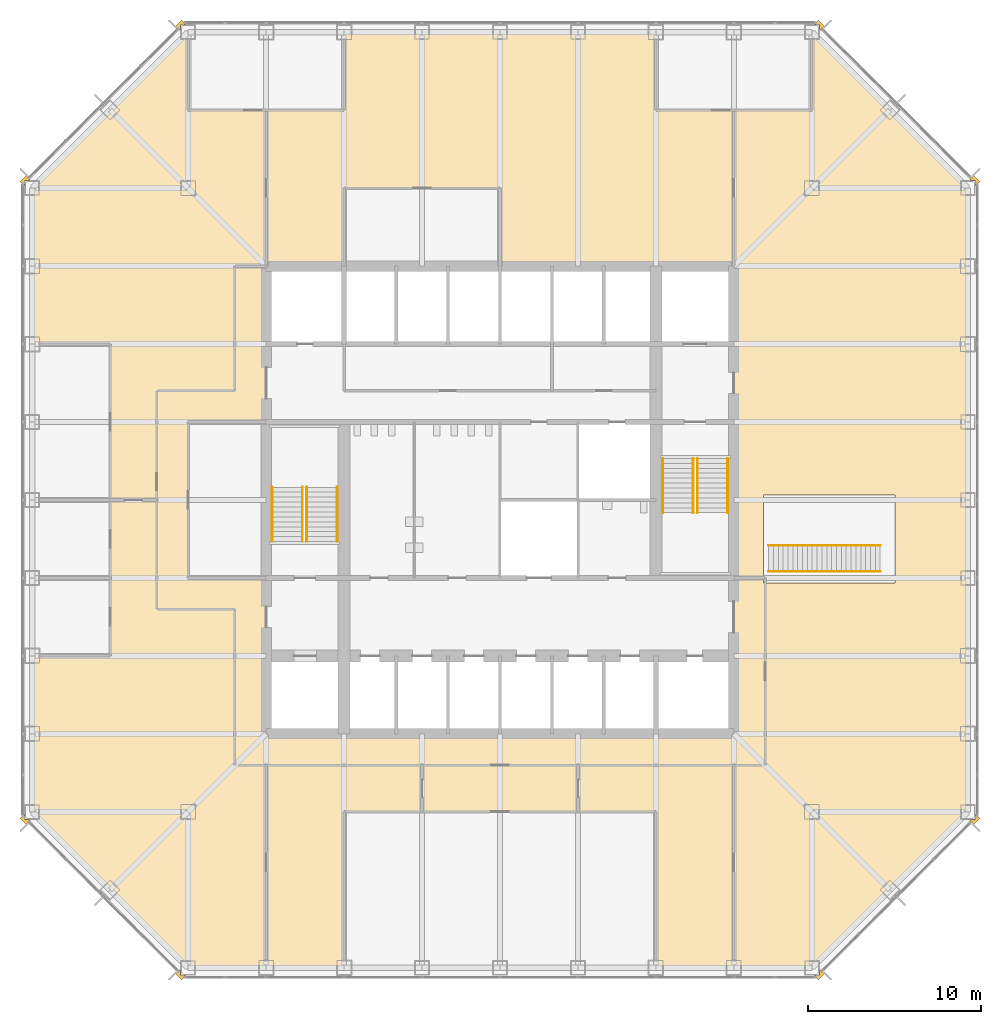
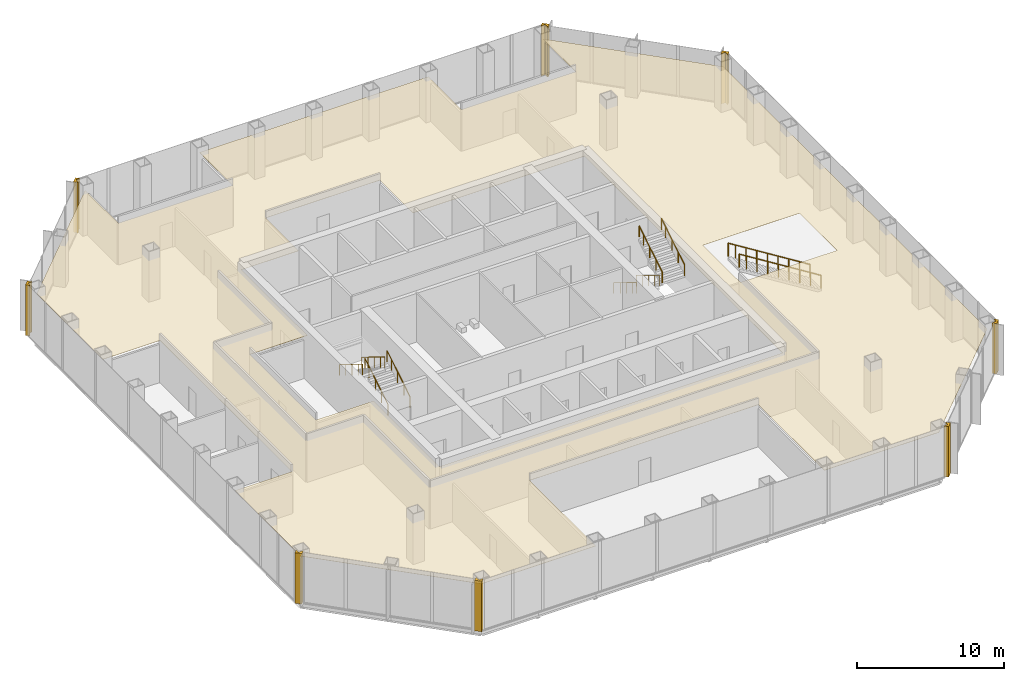
# One storey, part 11 of 12: 10 railings, 9 coverings.
"""IFC4 building model written with IfcOpenShell, lengths in metres."""

from ifc_helpers import new_model, si_unit, direction, frame, origin, origin_2d, place, context, subcontext, project, spatial, polyline, circle, outline, extrude, material, layer, layer_set, type_object, element, save


model = new_model("IFC4")

# Units and contexts
model_context = context("Model", 3, precision=1e-05, world=origin(), true_north=direction((0.0, 1.0)))
body_context = subcontext(model_context, "Body", "Model", "MODEL_VIEW")
ifc_project = project(units=[si_unit("LENGTHUNIT", "METRE"), si_unit("AREAUNIT", "SQUARE_METRE"), si_unit("VOLUMEUNIT", "CUBIC_METRE"), si_unit("PLANEANGLEUNIT", "RADIAN"), si_unit("MASSUNIT", "GRAM", prefix="KILO")], contexts=[model_context])

# Site, building, storey
site_placement = place(None, origin())
site = spatial("IfcSite", under=ifc_project, at=site_placement, CompositionType="ELEMENT")
building_placement = place(site_placement, origin())
building = spatial("IfcBuilding", under=site, at=building_placement, Name="Corais Broadcast Tower", CompositionType="ELEMENT")
storey_placement = place(building_placement, frame((0.0, 0.0, 29.0)))
storey = spatial("IfcBuildingStorey", under=building, at=storey_placement, Name="L05", CompositionType="ELEMENT", Elevation=29.0)

# Railings
ifc_material_1 = material(Name="Laminated glass and stainless steel guard", Category="steel")
railing_type_1 = type_object("IfcRailingType", Name="Glass guard 1100", PredefinedType="GUARDRAIL", material=ifc_material_1)
for number, where, name in (
    (1, (48.93994140625, 24.375, 0.175048828125), "GR1 L05"),
    (2, (48.93994140625, 22.875, 0.175048828125), "GR1 L05"),
):
    element("IfcRailing", number, at=place(storey_placement, frame(where)), inside=storey, type_object=railing_type_1, Name=name, PredefinedType="GUARDRAIL", context=body_context, shape_type="SweptSolid", body=[
        extrude(circle(Radius=0.02392578125, at=origin_2d()), frame((0.0, 0.0, 1.076171875), z_axis=(-0.848001916129, 0.0, 0.529993160562), x_axis=(0.0, -1.0, 0.0)), (0.0, 0.0, 1.0), 7.59423828125),
        extrude(circle(Radius=0.02099609375, at=origin_2d()), origin(), (0.0, 0.0, 1.0), 1.052001953125),
        extrude(circle(Radius=0.02099609375, at=origin_2d()), frame((-0.840087890625, 0.0, 0.52490234375)), (0.0, 0.0, 1.0), 1.052001953125),
        extrude(circle(Radius=0.02099609375, at=origin_2d()), frame((-1.679931640625, 0.0, 1.050048828125)), (0.0, 0.0, 1.0), 1.052001953125),
        extrude(circle(Radius=0.02099609375, at=origin_2d()), frame((-2.52001953125, 0.0, 1.574951171875)), (0.0, 0.0, 1.0), 1.052001953125),
        extrude(circle(Radius=0.02099609375, at=origin_2d()), frame((-3.35986328125, 0.0, 2.099853515625)), (0.0, 0.0, 1.0), 1.052001953125),
        extrude(circle(Radius=0.02099609375, at=origin_2d()), frame((-4.199951171875, 0.0, 2.625)), (0.0, 0.0, 1.0), 1.052001953125),
        extrude(circle(Radius=0.02099609375, at=origin_2d()), frame((-5.0400390625, 0.0, 3.14990234375)), (0.0, 0.0, 1.0), 1.052001953125),
        extrude(circle(Radius=0.02099609375, at=origin_2d()), frame((-5.8798828125, 0.0, 3.6748046875)), (0.0, 0.0, 1.0), 1.052001953125),
        extrude(circle(Radius=0.02099609375, at=origin_2d()), frame((-6.43994140625, 0.0, 4.02490234375)), (0.0, 0.0, 1.0), 1.052001953125),
    ])
ifc_material_2 = material(Name="Stainless steel handrail", Category="steel")
railing_type_2 = type_object("IfcRailingType", Name="Handrail 920", PredefinedType="HANDRAIL", material=ifc_material_2)
for number, where, name in (
    (3, (17.60009765625, 24.60009765625, 0.175048828125), "HR1 L05"),
    (4, (15.85009765625, 24.60009765625, 0.175048828125), "HR1 L05"),
):
    element("IfcRailing", number, at=place(storey_placement, frame(where)), inside=storey, type_object=railing_type_2, Name=name, PredefinedType="HANDRAIL", context=body_context, shape_type="SweptSolid", body=[
        extrude(circle(Radius=0.02392578125, at=origin_2d()), frame((0.0, 0.0, 0.89599609375), z_axis=(0.0, 0.852166034122, 0.523271488128), x_axis=(-1.0, 0.0, 0.0)), (0.0, 0.0, 1.0), 3.678955078125),
        extrude(circle(Radius=0.02099609375, at=origin_2d()), origin(), (0.0, 0.0, 1.0), 0.871826171875),
        extrude(circle(Radius=0.02099609375, at=origin_2d()), frame((0.0, 0.85498046875, 0.52490234375)), (0.0, 0.0, 1.0), 0.871826171875),
        extrude(circle(Radius=0.02099609375, at=origin_2d()), frame((0.0, 1.7099609375, 1.050048828125)), (0.0, 0.0, 1.0), 0.871826171875),
        extrude(circle(Radius=0.02099609375, at=origin_2d()), frame((0.0, 2.56494140625, 1.574951171875)), (0.0, 0.0, 1.0), 0.871826171875),
        extrude(circle(Radius=0.02099609375, at=origin_2d()), frame((0.0, 3.135009765625, 1.925048828125)), (0.0, 0.0, 1.0), 0.871826171875),
    ])
for number, where, name in (
    (5, (13.85009765625, 27.735107421875, 2.27490234375), "HR1 L05"),
    (6, (15.60009765625, 27.735107421875, 2.27490234375), "HR1 L05"),
    (7, (36.39990234375, 29.39990234375, 0.175048828125), "HR1 L05"),
    (8, (38.14990234375, 29.39990234375, 0.175048828125), "HR1 L05"),
):
    element("IfcRailing", number, at=place(storey_placement, frame(where)), inside=storey, type_object=railing_type_2, Name=name, PredefinedType="HANDRAIL", context=body_context, shape_type="SweptSolid", body=[
        extrude(circle(Radius=0.02392578125, at=origin_2d()), frame((0.0, 0.0, 0.89599609375), z_axis=(0.0, -0.852166034122, 0.523271488128), x_axis=(1.0, 0.0, 0.0)), (0.0, 0.0, 1.0), 3.678955078125),
        extrude(circle(Radius=0.02099609375, at=origin_2d()), origin(), (0.0, 0.0, 1.0), 0.871826171875),
        extrude(circle(Radius=0.02099609375, at=origin_2d()), frame((0.0, -0.85498046875, 0.52490234375)), (0.0, 0.0, 1.0), 0.871826171875),
        extrude(circle(Radius=0.02099609375, at=origin_2d()), frame((0.0, -1.7099609375, 1.050048828125)), (0.0, 0.0, 1.0), 0.871826171875),
        extrude(circle(Radius=0.02099609375, at=origin_2d()), frame((0.0, -2.56494140625, 1.574951171875)), (0.0, 0.0, 1.0), 0.871826171875),
        extrude(circle(Radius=0.02099609375, at=origin_2d()), frame((0.0, -3.135009765625, 1.925048828125)), (0.0, 0.0, 1.0), 0.871826171875),
    ])
for number, where, name in (
    (9, (40.14990234375, 26.264892578125, 2.27490234375), "HR1 L05"),
    (10, (38.39990234375, 26.264892578125, 2.27490234375), "HR1 L05"),
):
    element("IfcRailing", number, at=place(storey_placement, frame(where)), inside=storey, type_object=railing_type_2, Name=name, PredefinedType="HANDRAIL", context=body_context, shape_type="SweptSolid", body=[
        extrude(circle(Radius=0.02392578125, at=origin_2d()), frame((0.0, 0.0, 0.89599609375), z_axis=(0.0, 0.852166034122, 0.523271488128), x_axis=(-1.0, 0.0, 0.0)), (0.0, 0.0, 1.0), 3.678955078125),
        extrude(circle(Radius=0.02099609375, at=origin_2d()), origin(), (0.0, 0.0, 1.0), 0.871826171875),
        extrude(circle(Radius=0.02099609375, at=origin_2d()), frame((0.0, 0.85498046875, 0.52490234375)), (0.0, 0.0, 1.0), 0.871826171875),
        extrude(circle(Radius=0.02099609375, at=origin_2d()), frame((0.0, 1.7099609375, 1.050048828125)), (0.0, 0.0, 1.0), 0.871826171875),
        extrude(circle(Radius=0.02099609375, at=origin_2d()), frame((0.0, 2.56494140625, 1.574951171875)), (0.0, 0.0, 1.0), 0.871826171875),
        extrude(circle(Radius=0.02099609375, at=origin_2d()), frame((0.0, 3.135009765625, 1.925048828125)), (0.0, 0.0, 1.0), 0.871826171875),
    ])

# Coverings
ifc_material_3 = material(Name="Granite stone cladding", Category="masonry")
ifc_layer_1 = layer(ifc_material_3, 0.324951171875)
ifc_layer_set_1 = layer_set([ifc_layer_1], Name="Granite stone cladding")
covering_type_1 = type_object("IfcCoveringType", Name="Stone corner pier cladding 500x325", PredefinedType="CLADDING", material=ifc_layer_set_1)
covering_1_placement = place(storey_placement, origin())
element("IfcCovering", 11, at=covering_1_placement, inside=storey, type_object=covering_type_1, Name="SP1 stone corner pier L05", PredefinedType="CLADDING", context=body_context, shape_type="SweptSolid", body=[
    extrude(outline(polyline([(8.860595703125, -0.461669921875), (8.84912109375, -0.449951171875), (8.550048828125, -0.449951171875), (8.550048828125, -0.15087890625), (8.507080078125, -0.108154296875), (8.277099609375, -0.337890625), (8.630859375, -0.69140625), (8.860595703125, -0.461669921875)])), origin(), (0.0, 0.0, 1.0), 4.199951171875),
])
covering_2_placement = place(storey_placement, origin())
element("IfcCovering", 12, at=covering_2_placement, inside=storey, type_object=covering_type_1, Name="SP1 stone corner pier L05", PredefinedType="CLADDING", context=body_context, shape_type="SweptSolid", body=[
    extrude(outline(polyline([(-0.449951171875, 8.84912109375), (-0.461669921875, 8.860595703125), (-0.69140625, 8.630859375), (-0.337890625, 8.277099609375), (-0.108154296875, 8.507080078125), (-0.15087890625, 8.550048828125), (-0.449951171875, 8.550048828125), (-0.449951171875, 8.84912109375)])), origin(), (0.0, 0.0, 1.0), 4.199951171875),
])
covering_3_placement = place(storey_placement, origin())
element("IfcCovering", 13, at=covering_3_placement, inside=storey, type_object=covering_type_1, Name="SP1 stone corner pier L05", PredefinedType="CLADDING", context=body_context, shape_type="SweptSolid", body=[
    extrude(outline(polyline([(-0.461669921875, 45.139404296875), (-0.449951171875, 45.15087890625), (-0.449951171875, 45.449951171875), (-0.15087890625, 45.449951171875), (-0.108154296875, 45.492919921875), (-0.337890625, 45.722900390625), (-0.69140625, 45.369140625), (-0.461669921875, 45.139404296875)])), origin(), (0.0, 0.0, 1.0), 4.199951171875),
])
covering_4_placement = place(storey_placement, origin())
element("IfcCovering", 14, at=covering_4_placement, inside=storey, type_object=covering_type_1, Name="SP1 stone corner pier L05", PredefinedType="CLADDING", context=body_context, shape_type="SweptSolid", body=[
    extrude(outline(polyline([(8.84912109375, 54.449951171875), (8.860595703125, 54.461669921875), (8.630859375, 54.69140625), (8.277099609375, 54.337890625), (8.507080078125, 54.108154296875), (8.550048828125, 54.15087890625), (8.550048828125, 54.449951171875), (8.84912109375, 54.449951171875)])), origin(), (0.0, 0.0, 1.0), 4.199951171875),
])
covering_5_placement = place(storey_placement, origin())
element("IfcCovering", 15, at=covering_5_placement, inside=storey, type_object=covering_type_1, Name="SP1 stone corner pier L05", PredefinedType="CLADDING", context=body_context, shape_type="SweptSolid", body=[
    extrude(outline(polyline([(45.139404296875, 54.461669921875), (45.15087890625, 54.449951171875), (45.449951171875, 54.449951171875), (45.449951171875, 54.15087890625), (45.492919921875, 54.108154296875), (45.722900390625, 54.337890625), (45.369140625, 54.69140625), (45.139404296875, 54.461669921875)])), origin(), (0.0, 0.0, 1.0), 4.199951171875),
])
covering_6_placement = place(storey_placement, origin())
element("IfcCovering", 16, at=covering_6_placement, inside=storey, type_object=covering_type_1, Name="SP1 stone corner pier L05", PredefinedType="CLADDING", context=body_context, shape_type="SweptSolid", body=[
    extrude(outline(polyline([(54.449951171875, 45.15087890625), (54.461669921875, 45.139404296875), (54.69140625, 45.369140625), (54.337890625, 45.722900390625), (54.108154296875, 45.492919921875), (54.15087890625, 45.449951171875), (54.449951171875, 45.449951171875), (54.449951171875, 45.15087890625)])), origin(), (0.0, 0.0, 1.0), 4.199951171875),
])
covering_7_placement = place(storey_placement, origin())
element("IfcCovering", 17, at=covering_7_placement, inside=storey, type_object=covering_type_1, Name="SP1 stone corner pier L05", PredefinedType="CLADDING", context=body_context, shape_type="SweptSolid", body=[
    extrude(outline(polyline([(54.461669921875, 8.860595703125), (54.449951171875, 8.84912109375), (54.449951171875, 8.550048828125), (54.15087890625, 8.550048828125), (54.108154296875, 8.507080078125), (54.337890625, 8.277099609375), (54.69140625, 8.630859375), (54.461669921875, 8.860595703125)])), origin(), (0.0, 0.0, 1.0), 4.199951171875),
])
covering_8_placement = place(storey_placement, origin())
element("IfcCovering", 18, at=covering_8_placement, inside=storey, type_object=covering_type_1, Name="SP1 stone corner pier L05", PredefinedType="CLADDING", context=body_context, shape_type="SweptSolid", body=[
    extrude(outline(polyline([(45.15087890625, -0.449951171875), (45.139404296875, -0.461669921875), (45.369140625, -0.69140625), (45.722900390625, -0.337890625), (45.492919921875, -0.108154296875), (45.449951171875, -0.15087890625), (45.449951171875, -0.449951171875), (45.15087890625, -0.449951171875)])), origin(), (0.0, 0.0, 1.0), 4.199951171875),
])
ifc_material_4 = material(Name="Mineral fibre ceiling tile", Category="mineral")
ifc_layer_2 = layer(ifc_material_4, 0.02001953125)
ifc_layer_set_2 = layer_set([ifc_layer_2], Name="Mineral fibre ceiling tile")
covering_type_2 = type_object("IfcCoveringType", Name="Suspended ceiling", PredefinedType="CEILING", material=ifc_layer_set_2)
covering_9_placement = place(storey_placement, frame((0.0, 0.0, 3.419921875)))
element("IfcCovering", 19, at=covering_9_placement, inside=storey, type_object=covering_type_2, Name="CE1 ceiling L05", PredefinedType="CEILING", context=body_context, shape_type="SweptSolid", body=[
    extrude(outline(polyline([(0.0, 9.0), (0.0, 18.0), (4.5, 18.0), (4.5, 36.0), (0.0, 36.0), (0.0, 45.0), (9.0, 54.0), (9.0, 49.5), (18.0, 49.5), (18.0, 54.0), (36.0, 54.0), (36.0, 49.5), (45.0, 49.5), (45.0, 54.0), (54.0, 45.0), (54.0, 9.0), (45.0, 0.0), (36.0, 0.0), (36.0, 9.0), (18.0, 9.0), (18.0, 0.0), (9.0, 0.0), (0.0, 9.0)]), holes=[polyline([(13.5, 13.5), (40.5, 13.5), (40.5, 40.5), (27.0, 40.5), (27.0, 45.0), (18.0, 45.0), (18.0, 40.5), (13.5, 40.5), (13.5, 31.5), (9.0, 31.5), (9.0, 22.5), (13.5, 22.5), (13.5, 13.5)]), polyline([(49.800048828125, 27.300048828125), (42.199951171875, 27.300048828125), (42.199951171875, 22.199951171875), (49.800048828125, 22.199951171875), (49.800048828125, 27.300048828125)])]), origin(), (0.0, 0.0, 1.0), 0.02001953125),
])

save(model, "model.ifc")
